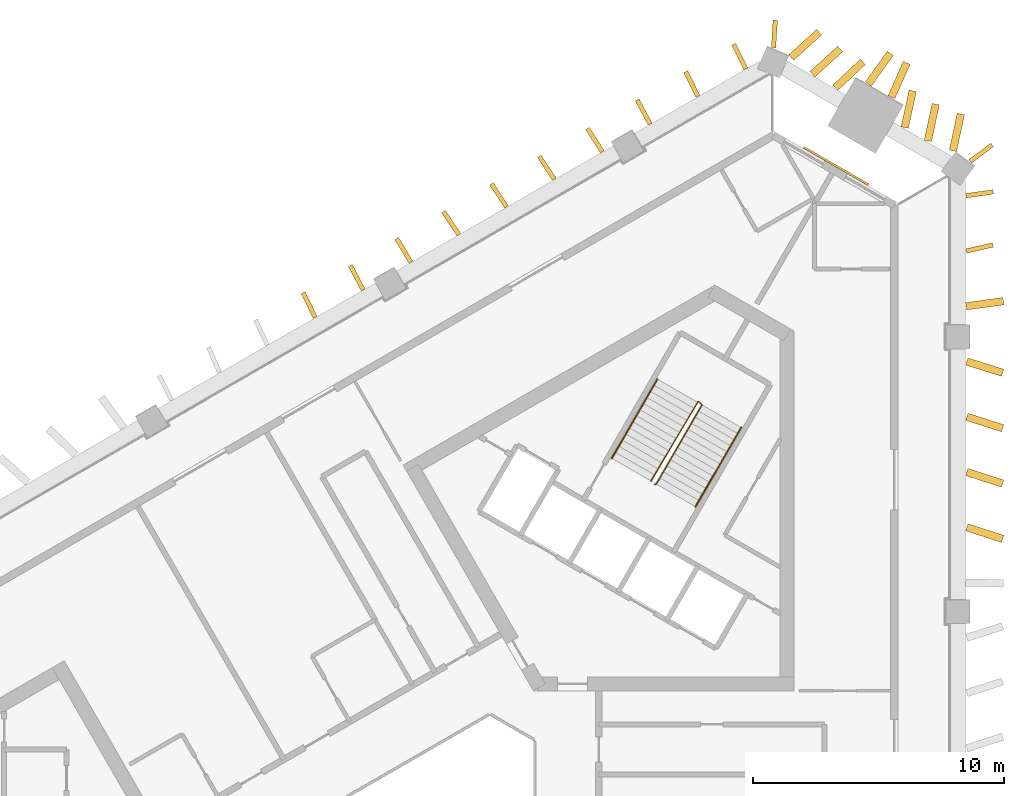
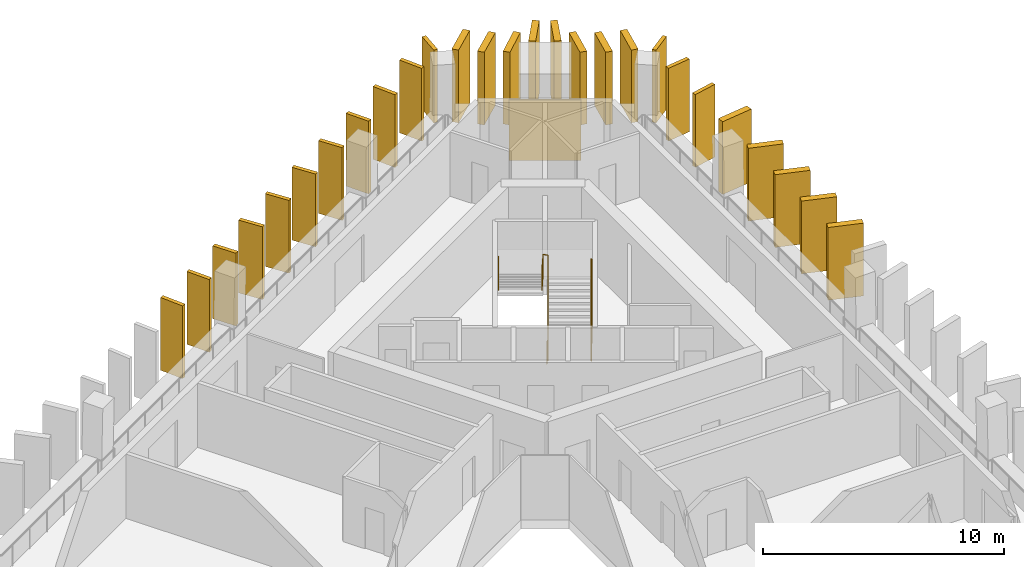
# One storey, part 10 of 10: 27 shading devices, 3 railings, 1 covering.
"""IFC4 building model written with IfcOpenShell, lengths in metres."""

from ifc_helpers import new_model, si_unit, direction, frame, frame_2d, origin, origin_2d, place, context, subcontext, project, spatial, rectangle, circle, extrude, material, layer, layer_set, type_object, element, save


model = new_model("IFC4")

# Units and contexts
model_context = context("Model", 3, precision=1e-05, world=origin(), true_north=direction((0.0, 1.0)))
body_context = subcontext(model_context, "Body", "Model", "MODEL_VIEW")
ifc_project = project(units=[si_unit("LENGTHUNIT", "METRE"), si_unit("AREAUNIT", "SQUARE_METRE"), si_unit("VOLUMEUNIT", "CUBIC_METRE"), si_unit("PLANEANGLEUNIT", "RADIAN"), si_unit("MASSUNIT", "GRAM", prefix="KILO")], contexts=[model_context])

# Site, building, storey
site_placement = place(None, origin())
site = spatial("IfcSite", under=ifc_project, at=site_placement, CompositionType="ELEMENT")
building_placement = place(site_placement, origin())
building = spatial("IfcBuilding", under=site, at=building_placement, Name="Jabali Bay Hotel Tower and Convention Centre", CompositionType="ELEMENT")
storey_placement = place(building_placement, frame((0.0, 0.0, 160.0)))
storey = spatial("IfcBuildingStorey", under=building, at=storey_placement, Name="L38", CompositionType="ELEMENT", Elevation=160.0)

# Shading devices
ifc_material_1 = material(Name="Precast concrete C60", Category="concrete")
ifc_layer_1 = layer(ifc_material_1, 0.179931640625)
ifc_layer_set_1 = layer_set([ifc_layer_1], Name="Precast concrete C60")
shading_device_type_1 = type_object("IfcShadingDeviceType", Name="Precast fin 3680 x 1100", PredefinedType="USERDEFINED", material=ifc_layer_set_1)
shading_device_1_placement = place(storey_placement, frame((96.73779296875, 105.310546875, 0.010009765625), z_axis=(0.0, 0.0, 1.0), x_axis=(0.97525915327, 0.22106466014, 0.0)))
element("IfcShadingDevice", 1, at=shading_device_1_placement, inside=storey, type_object=shading_device_type_1, Name="Fin L38 024", ObjectType="FIN", PredefinedType="USERDEFINED", context=body_context, shape_type="SweptSolid", body=[
    extrude(rectangle(XDim=1.099853515625, YDim=0.179931640625, at=frame_2d((0.5498046875, 0.0))), origin(), (0.0, 0.0, 1.0), 3.679931640625),
])
for number, where, z_axis, x_axis, name in (
    (2, (96.730712890625, 107.511474609375, 0.010009765625), (0.0, 0.0, 1.0), (0.989636386416, 0.143596039922, 0.0), "Fin L38 025"),
    (3, (87.9638671875, 112.56884765625, 0.010009765625), (0.0, 0.0, 1.0), (-0.444103724486, 0.895975380185, 0.0), "Fin L38 034"),
    (4, (86.057861328125, 111.468505859375, 0.010009765625), (0.0, 0.0, 1.0), (-0.444548317937, 0.895754873288, 0.0), "Fin L38 035"),
    (5, (84.1533203125, 110.365234375, 0.010009765625), (0.0, 0.0, 1.0), (-0.475131732818, 0.879914675676, 0.0), "Fin L38 036"),
    (6, (82.24658203125, 109.265869140625, 0.010009765625), (0.0, 0.0, 1.0), (-0.537320606179, 0.843378068351, 0.0), "Fin L38 037"),
    (7, (80.339599609375, 108.1669921875, 0.010009765625), (0.0, 0.0, 1.0), (-0.553316522906, 0.832971083219, 0.0), "Fin L38 038"),
):
    element("IfcShadingDevice", number, at=place(storey_placement, frame(where, z_axis=z_axis, x_axis=x_axis)), inside=storey, type_object=shading_device_type_1, Name=name, ObjectType="FIN", PredefinedType="USERDEFINED", context=body_context, shape_type="SweptSolid", body=[
        extrude(rectangle(XDim=1.10009765625, YDim=0.179931640625, at=frame_2d((0.550048828125, 0.0))), origin(), (0.0, 0.0, 1.0), 3.679931640625),
    ])
shading_device_2_placement = place(storey_placement, frame((78.43359375, 107.066650390625, 0.010009765625), z_axis=(0.0, 0.0, 1.0), x_axis=(-0.553418832769, 0.832903112935, 0.0)))
element("IfcShadingDevice", 8, at=shading_device_2_placement, inside=storey, type_object=shading_device_type_1, Name="Fin L38 039", ObjectType="FIN", PredefinedType="USERDEFINED", context=body_context, shape_type="SweptSolid", body=[
    extrude(rectangle(XDim=1.099853515625, YDim=0.179931640625, at=frame_2d((0.5498046875, 0.0))), origin(), (0.0, 0.0, 1.0), 3.679931640625),
])
for number, where, z_axis, x_axis, name in (
    (9, (76.527587890625, 105.966064453125, 0.010009765625), (0.0, 0.0, 1.0), (-0.553726719201, 0.832698457091, 0.0), "Fin L38 040"),
    (10, (74.62353515625, 104.862060546875, 0.010009765625), (0.0, 0.0, 1.0), (-0.515115738934, 0.85712063066, 0.0), "Fin L38 041"),
    (11, (72.716552734375, 103.763427734375, 0.010009765625), (0.0, 0.0, 1.0), (-0.463824547754, 0.885927078772, 0.0), "Fin L38 042"),
    (12, (70.80908203125, 102.665283203125, 0.010009765625), (0.0, 0.0, 1.0), (-0.437868242985, 0.899039154756, 0.0), "Fin L38 043"),
):
    element("IfcShadingDevice", number, at=place(storey_placement, frame(where, z_axis=z_axis, x_axis=x_axis)), inside=storey, type_object=shading_device_type_1, Name=name, ObjectType="FIN", PredefinedType="USERDEFINED", context=body_context, shape_type="SweptSolid", body=[
        extrude(rectangle(XDim=1.10009765625, YDim=0.179931640625, at=frame_2d((0.550048828125, 0.0))), origin(), (0.0, 0.0, 1.0), 3.679931640625),
    ])
shading_device_3_placement = place(storey_placement, frame((96.89697265625, 108.884033203125, 0.010009765625), z_axis=(0.0, 0.0, 1.0), x_axis=(0.80350214178, 0.595301863054, 0.0)))
element("IfcShadingDevice", 13, at=shading_device_3_placement, inside=storey, type_object=shading_device_type_1, Name="Fin L38 103", ObjectType="FIN", PredefinedType="USERDEFINED", context=body_context, shape_type="SweptSolid", body=[
    extrude(rectangle(XDim=1.099853515625, YDim=0.179931640625, at=frame_2d((0.5498046875, 0.0))), origin(), (0.0, 0.0, 1.0), 3.679931640625),
])
shading_device_4_placement = place(storey_placement, frame((89.06591796875, 113.409912109375, 0.010009765625), z_axis=(0.0, 0.0, 1.0), x_axis=(0.06369074918, 0.997969683141, 0.0)))
element("IfcShadingDevice", 14, at=shading_device_4_placement, inside=storey, type_object=shading_device_type_1, Name="Fin L38 104", ObjectType="FIN", PredefinedType="USERDEFINED", context=body_context, shape_type="SweptSolid", body=[
    extrude(rectangle(XDim=1.10009765625, YDim=0.179931640625, at=frame_2d((0.550048828125, 0.0))), origin(), (0.0, 0.0, 1.0), 3.679931640625),
])
ifc_layer_2 = layer(ifc_material_1, 0.300048828125)
ifc_layer_set_2 = layer_set([ifc_layer_2], Name="Precast concrete C60")
shading_device_type_2 = type_object("IfcShadingDeviceType", Name="Precast fin 3680 x 1500", PredefinedType="USERDEFINED", material=ifc_layer_set_2)
for number, where, z_axis, x_axis, name in (
    (15, (96.763916015625, 94.305908203125, 0.010009765625), (0.0, 0.0, 1.0), (0.951825135568, -0.306641339844, 0.0), "Fin L38 019"),
    (16, (96.763671875, 96.5068359375, 0.010009765625), (0.0, 0.0, 1.0), (0.951982827348, -0.306151427294, 0.0), "Fin L38 020"),
):
    element("IfcShadingDevice", number, at=place(storey_placement, frame(where, z_axis=z_axis, x_axis=x_axis)), inside=storey, type_object=shading_device_type_2, Name=name, ObjectType="FIN", PredefinedType="USERDEFINED", context=body_context, shape_type="SweptSolid", body=[
        extrude(rectangle(XDim=1.5, YDim=0.300048828125, at=frame_2d((0.75, 0.0))), origin(), (0.0, 0.0, 1.0), 3.679931640625),
    ])
for number, where, z_axis, x_axis, name in (
    (17, (96.763671875, 98.707763671875, 0.010009765625), (0.0, 0.0, 1.0), (0.95243926659, -0.304728474971, 0.0), "Fin L38 021"),
    (18, (96.7626953125, 100.90869140625, 0.010009765625), (0.0, 0.0, 1.0), (0.954349551095, -0.298692039273, 0.0), "Fin L38 022"),
):
    element("IfcShadingDevice", number, at=place(storey_placement, frame(where, z_axis=z_axis, x_axis=x_axis)), inside=storey, type_object=shading_device_type_2, Name=name, ObjectType="FIN", PredefinedType="USERDEFINED", context=body_context, shape_type="SweptSolid", body=[
        extrude(rectangle(XDim=1.499755859375, YDim=0.300048828125, at=frame_2d((0.75, 0.0))), origin(), (0.0, 0.0, 1.0), 3.679931640625),
    ])
shading_device_5_placement = place(storey_placement, frame((96.738037109375, 103.109619140625, 0.010009765625), z_axis=(0.0, 0.0, 1.0), x_axis=(0.990812333022, 0.135243930477, 0.0)))
element("IfcShadingDevice", 19, at=shading_device_5_placement, inside=storey, type_object=shading_device_type_2, Name="Fin L38 023", ObjectType="FIN", PredefinedType="USERDEFINED", context=body_context, shape_type="SweptSolid", body=[
    extrude(rectangle(XDim=1.5, YDim=0.300048828125, at=frame_2d((0.75, 0.0))), origin(), (0.0, 0.0, 1.0), 3.679931640625),
])
shading_device_6_placement = place(storey_placement, frame((96.210693359375, 109.30224609375, 0.010009765625), z_axis=(0.0, 0.0, 1.0), x_axis=(0.210151588234, 0.977668814048, 0.0)))
element("IfcShadingDevice", 20, at=shading_device_6_placement, inside=storey, type_object=shading_device_type_2, Name="Fin L38 026", ObjectType="FIN", PredefinedType="USERDEFINED", context=body_context, shape_type="SweptSolid", body=[
    extrude(rectangle(XDim=1.499755859375, YDim=0.300048828125, at=frame_2d((0.75, 0.0))), origin(), (0.0, 0.0, 1.0), 3.679931640625),
])
for number, where, z_axis, x_axis, name in (
    (21, (95.2119140625, 109.69677734375, 0.010009765625), (0.0, 0.0, 1.0), (0.210273710971, 0.977642555577, 0.0), "Fin L38 027"),
    (22, (94.2919921875, 110.227783203125, 0.010009765625), (0.0, 0.0, 1.0), (0.211429449916, 0.977393261542, 0.0), "Fin L38 028"),
):
    element("IfcShadingDevice", number, at=place(storey_placement, frame(where, z_axis=z_axis, x_axis=x_axis)), inside=storey, type_object=shading_device_type_2, Name=name, ObjectType="FIN", PredefinedType="USERDEFINED", context=body_context, shape_type="SweptSolid", body=[
        extrude(rectangle(XDim=1.5, YDim=0.300048828125, at=frame_2d((0.75, 0.0))), origin(), (0.0, 0.0, 1.0), 3.679931640625),
    ])
shading_device_7_placement = place(storey_placement, frame((93.763427734375, 111.43701171875, 0.010009765625), z_axis=(0.0, 0.0, 1.0), x_axis=(0.403856606331, 0.914822300517, 0.0)))
element("IfcShadingDevice", 23, at=shading_device_7_placement, inside=storey, type_object=shading_device_type_2, Name="Fin L38 029", ObjectType="FIN", PredefinedType="USERDEFINED", context=body_context, shape_type="SweptSolid", body=[
    extrude(rectangle(XDim=1.499755859375, YDim=0.300048828125, at=frame_2d((0.75, 0.0))), origin(), (0.0, 0.0, 1.0), 3.679931640625),
])
shading_device_8_placement = place(storey_placement, frame((92.8427734375, 111.967041015625, 0.010009765625), z_axis=(0.0, 0.0, 1.0), x_axis=(0.584236129503, 0.811583726416, 0.0)))
element("IfcShadingDevice", 24, at=shading_device_8_placement, inside=storey, type_object=shading_device_type_2, Name="Fin L38 030", ObjectType="FIN", PredefinedType="USERDEFINED", context=body_context, shape_type="SweptSolid", body=[
    extrude(rectangle(XDim=1.500244140625, YDim=0.300048828125, at=frame_2d((0.75, 0.0))), origin(), (0.0, 0.0, 1.0), 3.679931640625),
])
for number, where, z_axis, x_axis, name in (
    (25, (91.53076171875, 111.819091796875, 0.010009765625), (0.0, 0.0, 1.0), (0.728973578633, 0.684541833385, 0.0), "Fin L38 031"),
    (26, (90.6123046875, 112.3525390625, 0.010009765625), (0.0, 0.0, 1.0), (0.741543490988, 0.670904800231, 0.0), "Fin L38 032"),
):
    element("IfcShadingDevice", number, at=place(storey_placement, frame(where, z_axis=z_axis, x_axis=x_axis)), inside=storey, type_object=shading_device_type_2, Name=name, ObjectType="FIN", PredefinedType="USERDEFINED", context=body_context, shape_type="SweptSolid", body=[
        extrude(rectangle(XDim=1.5, YDim=0.300048828125, at=frame_2d((0.75, 0.0))), origin(), (0.0, 0.0, 1.0), 3.679931640625),
    ])
shading_device_9_placement = place(storey_placement, frame((89.77099609375, 113.02001953125, 0.010009765625), z_axis=(0.0, 0.0, 1.0), x_axis=(0.741616739041, 0.670823831101, 0.0)))
element("IfcShadingDevice", 27, at=shading_device_9_placement, inside=storey, type_object=shading_device_type_2, Name="Fin L38 033", ObjectType="FIN", PredefinedType="USERDEFINED", context=body_context, shape_type="SweptSolid", body=[
    extrude(rectangle(XDim=1.500244140625, YDim=0.300048828125, at=frame_2d((0.75, 0.0))), origin(), (0.0, 0.0, 1.0), 3.679931640625),
])

# Covering
ifc_material_2 = material(Name="Precast concrete C40/50", Category="concrete")
ifc_layer_3 = layer(ifc_material_2, 0.080078125)
ifc_layer_set_3 = layer_set([ifc_layer_3], Name="Precast concrete C40/50")
covering_type = type_object("IfcCoveringType", Name="Relief panel 3000 x 3050", PredefinedType="CLADDING", material=ifc_layer_set_3)
covering_placement = place(storey_placement, frame((91.565673828125, 108.692626953125, 0.10009765625), z_axis=(0.0, 0.0, 1.0), x_axis=(0.866025386645, -0.500000029686, 0.0)))
element("IfcCovering", 28, at=covering_placement, inside=storey, type_object=covering_type, Name="Relief panel L38", PredefinedType="CLADDING", context=body_context, shape_type="SweptSolid", body=[
    extrude(rectangle(XDim=3.0, YDim=0.080078125, at=origin_2d()), origin(), (0.0, 0.0, 1.0), 3.050048828125),
])

# Railings
ifc_material_3 = material(Name="Steel Q355B", Category="steel")
railing_type_1 = type_object("IfcRailingType", Name="Stair guard 1100", PredefinedType="GUARDRAIL", material=ifc_material_3)
railing_1_placement = place(storey_placement, frame((84.329833984375, 96.010009765625, 0.0)))
element("IfcRailing", 29, at=railing_1_placement, inside=storey, type_object=railing_type_1, Name="L38 ST2 stair guard 1", PredefinedType="GUARDRAIL", context=body_context, shape_type="SweptSolid", body=[
    extrude(circle(Radius=0.02392578125, at=origin_2d()), frame((0.0, 0.0, 1.076171875), z_axis=(0.456201556387, 0.122196845461, 0.881446578591), x_axis=(-0.258736085224, 0.965948051503, 0.0)), (0.0, 0.0, 1.0), 0.14990234375),
    extrude(circle(Radius=0.02392578125, at=origin_2d()), frame((0.068359375, 0.018310546875, 1.2080078125), z_axis=(0.45217862506, 0.783169739339, 0.426825081763), x_axis=(-0.866018046521, 0.500012742938, 0.0)), (0.0, 0.0, 1.0), 4.025146484375),
    extrude(circle(Radius=0.02392578125, at=origin_2d()), frame((1.888427734375, 3.170654296875, 2.92626953125), z_axis=(-0.718850276695, 0.695164929852, 0.0), x_axis=(-0.695164929852, -0.718850276695, 0.0)), (0.0, 0.0, 1.0), 0.2060546875),
    extrude(circle(Radius=0.02392578125, at=origin_2d()), frame((1.740234375, 3.31396484375, 2.92626953125), z_axis=(-0.457457462341, -0.768067235091, 0.448113147015), x_axis=(0.859157857954, -0.511710636118, 0.0)), (0.0, 0.0, 1.0), 4.128173828125),
    extrude(circle(Radius=0.02099609375, at=origin_2d()), origin(), (0.0, 0.0, 1.0), 1.052001953125),
    extrude(circle(Radius=0.02099609375, at=origin_2d()), frame((0.068359375, 0.018310546875, 0.132080078125)), (0.0, 0.0, 1.0), 1.052001953125),
    extrude(circle(Radius=0.02099609375, at=origin_2d()), frame((0.5234375, 0.806396484375, 0.5615234375)), (0.0, 0.0, 1.0), 1.052001953125),
    extrude(circle(Radius=0.02099609375, at=origin_2d()), frame((0.978515625, 1.594482421875, 0.9912109375)), (0.0, 0.0, 1.0), 1.052001953125),
    extrude(circle(Radius=0.02099609375, at=origin_2d()), frame((1.433349609375, 2.382568359375, 1.420654296875)), (0.0, 0.0, 1.0), 1.052001953125),
    extrude(circle(Radius=0.02099609375, at=origin_2d()), frame((1.888427734375, 3.170654296875, 1.85009765625)), (0.0, 0.0, 1.0), 1.052001953125),
    extrude(circle(Radius=0.02099609375, at=origin_2d()), frame((1.740234375, 3.31396484375, 1.85009765625)), (0.0, 0.0, 1.0), 1.052001953125),
    extrude(circle(Radius=0.02099609375, at=origin_2d()), frame((1.26806640625, 2.521240234375, 2.3125)), (0.0, 0.0, 1.0), 1.052001953125),
    extrude(circle(Radius=0.02099609375, at=origin_2d()), frame((0.7958984375, 1.728515625, 2.77490234375)), (0.0, 0.0, 1.0), 1.052001953125),
    extrude(circle(Radius=0.02099609375, at=origin_2d()), frame((0.323974609375, 0.93603515625, 3.237548828125)), (0.0, 0.0, 1.0), 1.052001953125),
    extrude(circle(Radius=0.02099609375, at=origin_2d()), frame((-0.148193359375, 0.143310546875, 3.699951171875)), (0.0, 0.0, 1.0), 1.052001953125),
])
railing_type_2 = type_object("IfcRailingType", Name="Stair handrail 900", PredefinedType="HANDRAIL", material=ifc_material_3)
railing_2_placement = place(storey_placement, frame((85.95703125, 95.128173828125, 0.132080078125)))
element("IfcRailing", 30, at=railing_2_placement, inside=storey, type_object=railing_type_2, Name="L38 ST2 stair handrail 1", PredefinedType="HANDRAIL", context=body_context, shape_type="SweptSolid", body=[
    extrude(circle(Radius=0.02392578125, at=origin_2d()), frame((0.0, 0.0, 0.8759765625), z_axis=(0.45217862506, 0.783169739339, 0.426825081763), x_axis=(-0.866018046521, 0.500012742938, 0.0)), (0.0, 0.0, 1.0), 4.025146484375),
    extrude(circle(Radius=0.02099609375, at=origin_2d()), origin(), (0.0, 0.0, 1.0), 0.851806640625),
    extrude(circle(Radius=0.02099609375, at=origin_2d()), frame((0.455078125, 0.7880859375, 0.429443359375)), (0.0, 0.0, 1.0), 0.851806640625),
    extrude(circle(Radius=0.02099609375, at=origin_2d()), frame((0.91015625, 1.576171875, 0.85888671875)), (0.0, 0.0, 1.0), 0.851806640625),
    extrude(circle(Radius=0.02099609375, at=origin_2d()), frame((1.364990234375, 2.3642578125, 1.28857421875)), (0.0, 0.0, 1.0), 0.851806640625),
    extrude(circle(Radius=0.02099609375, at=origin_2d()), frame((1.820068359375, 3.15234375, 1.718017578125)), (0.0, 0.0, 1.0), 0.851806640625),
])
railing_3_placement = place(storey_placement, frame((84.44287109375, 100.20556640625, 1.982177734375)))
element("IfcRailing", 31, at=railing_3_placement, inside=storey, type_object=railing_type_2, Name="L38 ST2 stair handrail 2", PredefinedType="HANDRAIL", context=body_context, shape_type="SweptSolid", body=[
    extrude(circle(Radius=0.02392578125, at=origin_2d()), frame((0.0, 0.0, 0.8759765625), z_axis=(-0.452190331055, -0.783190014029, 0.426775475427), x_axis=(0.866018046521, -0.500012742938, 0.0)), (0.0, 0.0, 1.0), 4.02490234375),
    extrude(circle(Radius=0.02099609375, at=origin_2d()), origin(), (0.0, 0.0, 1.0), 0.851806640625),
    extrude(circle(Radius=0.02099609375, at=origin_2d()), frame((-0.455078125, -0.7880859375, 0.429443359375)), (0.0, 0.0, 1.0), 0.851806640625),
    extrude(circle(Radius=0.02099609375, at=origin_2d()), frame((-0.91015625, -1.576171875, 0.85888671875)), (0.0, 0.0, 1.0), 0.851806640625),
    extrude(circle(Radius=0.02099609375, at=origin_2d()), frame((-1.364990234375, -2.3642578125, 1.288330078125)), (0.0, 0.0, 1.0), 0.851806640625),
    extrude(circle(Radius=0.02099609375, at=origin_2d()), frame((-1.820068359375, -3.15234375, 1.7177734375)), (0.0, 0.0, 1.0), 0.851806640625),
])

save(model, "model.ifc")
